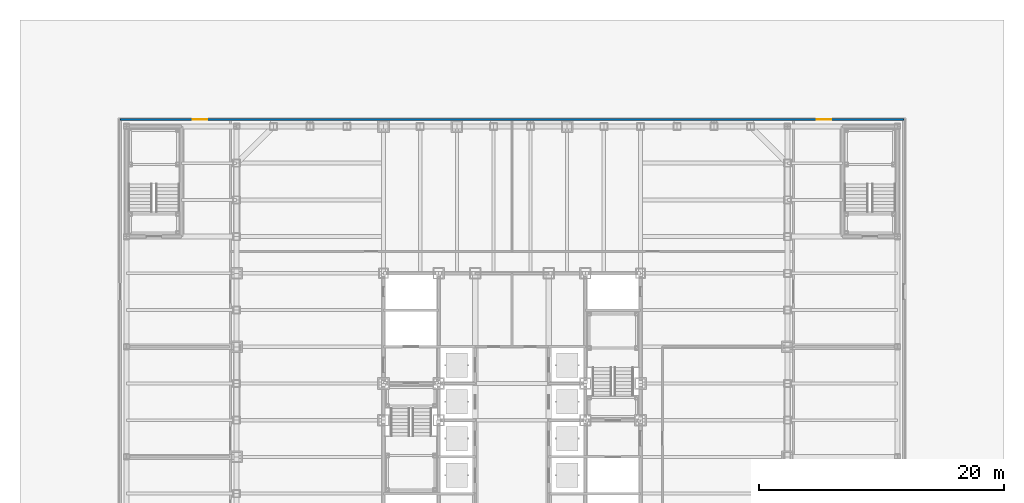
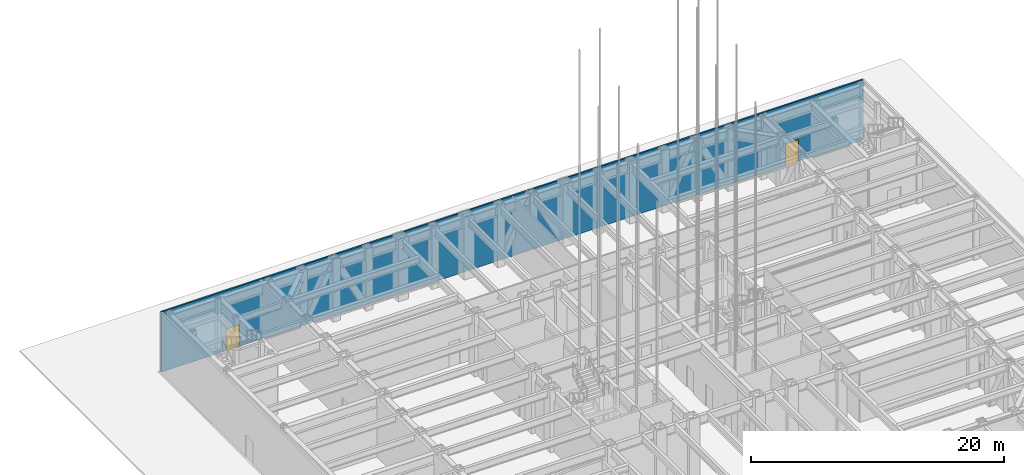
# One storey, part 10 of 35: 2 doors, 1 wall, 2 openings.
"""IFC4 building model written with IfcOpenShell, lengths in metres."""

from ifc_helpers import new_model, si_unit, direction, frame, frame_2d, origin, place, context, subcontext, project, spatial, rectangle, extrude, material, layer, layer_set, type_object, element, fill, save


model = new_model("IFC4")

# Units and contexts
model_context = context("Model", 3, precision=1e-05, world=origin(), true_north=direction((0.0, 1.0)))
body_context = subcontext(model_context, "Body", "Model", "MODEL_VIEW")
ifc_project = project(units=[si_unit("LENGTHUNIT", "METRE"), si_unit("AREAUNIT", "SQUARE_METRE"), si_unit("VOLUMEUNIT", "CUBIC_METRE"), si_unit("PLANEANGLEUNIT", "RADIAN"), si_unit("MASSUNIT", "GRAM", prefix="KILO")], contexts=[model_context])

# Site, building, storey
site_placement = place(None, origin())
site = spatial("IfcSite", under=ifc_project, at=site_placement, CompositionType="ELEMENT")
building_placement = place(site_placement, origin())
building = spatial("IfcBuilding", under=site, at=building_placement, Name="Chuquiago Exchange Tower", CompositionType="ELEMENT")
storey_placement = place(building_placement, origin())
storey = spatial("IfcBuildingStorey", under=building, at=storey_placement, Name="L00", CompositionType="ELEMENT", Elevation=0.0)

# Wall, openings, doors
ifc_material_1 = material(Name="Glass, heat-strengthened safety glass, in pale metal frame", Category="glass")
ifc_layer = layer(ifc_material_1, 0.14990234375)
ifc_layer_set = layer_set([ifc_layer], Name="W8 entrance screen 150")
wall_type = type_object("IfcWallType", Name="W8 entrance screen 150", PredefinedType="SOLIDWALL", material=ifc_layer_set)
wall_placement = place(storey_placement, frame((54.5, 45.574951171875, 0.0), z_axis=(0.0, 0.0, 1.0), x_axis=(-1.0, 0.0, 0.0)))
wall = element("IfcWall", 1, at=wall_placement, inside=storey, type_object=wall_type, Name="Entrance screen N", PredefinedType="SOLIDWALL", context=body_context, shape_type="SweptSolid", body=[
    extrude(rectangle(XDim=64.0, YDim=0.14990234375, at=frame_2d((32.0, 0.0))), origin(), (0.0, 0.0, 1.0), 5.800048828125),
])
opening_1_placement = place(wall_placement, frame((56.89990234375, 0.0, 0.0)))
opening_1 = element("IfcOpeningElement", 2, at=opening_1_placement, cuts=wall, Name="Opening L00-912", PredefinedType="OPENING", context=body_context, shape_type="SweptSolid", body=[
    extrude(rectangle(XDim=1.199951171875, YDim=2.10009765625, at=frame_2d((0.60009765625, 1.050048828125))), frame((0.0, 0.0849609375, 0.0), z_axis=(0.0, -1.0, 0.0), x_axis=(1.0, 0.0, 0.0)), (0.0, 0.0, 1.0), 0.169921875),
])
opening_2_placement = place(wall_placement, frame((5.89990234375, 0.0, 0.0)))
opening_2 = element("IfcOpeningElement", 3, at=opening_2_placement, cuts=wall, Name="Opening L00-913", PredefinedType="OPENING", context=body_context, shape_type="SweptSolid", body=[
    extrude(rectangle(XDim=1.199951171875, YDim=2.10009765625, at=frame_2d((0.60009765625, 1.050048828125))), frame((0.0, 0.0849609375, 0.0), z_axis=(0.0, -1.0, 0.0), x_axis=(1.0, 0.0, 0.0)), (0.0, 0.0, 1.0), 0.169921875),
])
ifc_material_2 = material(Name="Glass and pale metal door", Category="glass")
door_type = type_object("IfcDoorType", Name="D2 exit door 1200x2100", OperationType="SINGLE_SWING_LEFT", PredefinedType="DOOR", material=ifc_material_2)
door_1_placement = place(opening_1_placement, frame((1.199951171875, 0.0, 0.0), z_axis=(0.0, 0.0, 1.0), x_axis=(-1.0, 0.0, 0.0)))
door_1 = element("IfcDoor", 4, at=door_1_placement, inside=storey, type_object=door_type, Name="Exit door", OperationType="SINGLE_SWING_LEFT", OverallHeight=2.10009765625, OverallWidth=1.199951171875, PredefinedType="DOOR", context=body_context, shape_type="SweptSolid", body=[
    extrude(rectangle(XDim=1.199951171875, YDim=2.10009765625, at=frame_2d((0.60009765625, 1.050048828125))), frame((0.0, 0.02490234375, 0.0), z_axis=(0.0, -1.0, 0.0), x_axis=(1.0, 0.0, 0.0)), (0.0, 0.0, 1.0), 0.050048828125),
])
fill(opening_1, door_1)
door_2_placement = place(opening_2_placement, frame((1.199951171875, 0.0, 0.0), z_axis=(0.0, 0.0, 1.0), x_axis=(-1.0, 0.0, 0.0)))
door_2 = element("IfcDoor", 5, at=door_2_placement, inside=storey, type_object=door_type, Name="Exit door", OperationType="SINGLE_SWING_RIGHT", OverallHeight=2.10009765625, OverallWidth=1.199951171875, PredefinedType="DOOR", context=body_context, shape_type="SweptSolid", body=[
    extrude(rectangle(XDim=1.199951171875, YDim=2.10009765625, at=frame_2d((0.60009765625, 1.050048828125))), frame((0.0, 0.02490234375, 0.0), z_axis=(0.0, -1.0, 0.0), x_axis=(1.0, 0.0, 0.0)), (0.0, 0.0, 1.0), 0.050048828125),
])
fill(opening_2, door_2)

save(model, "model.ifc")
